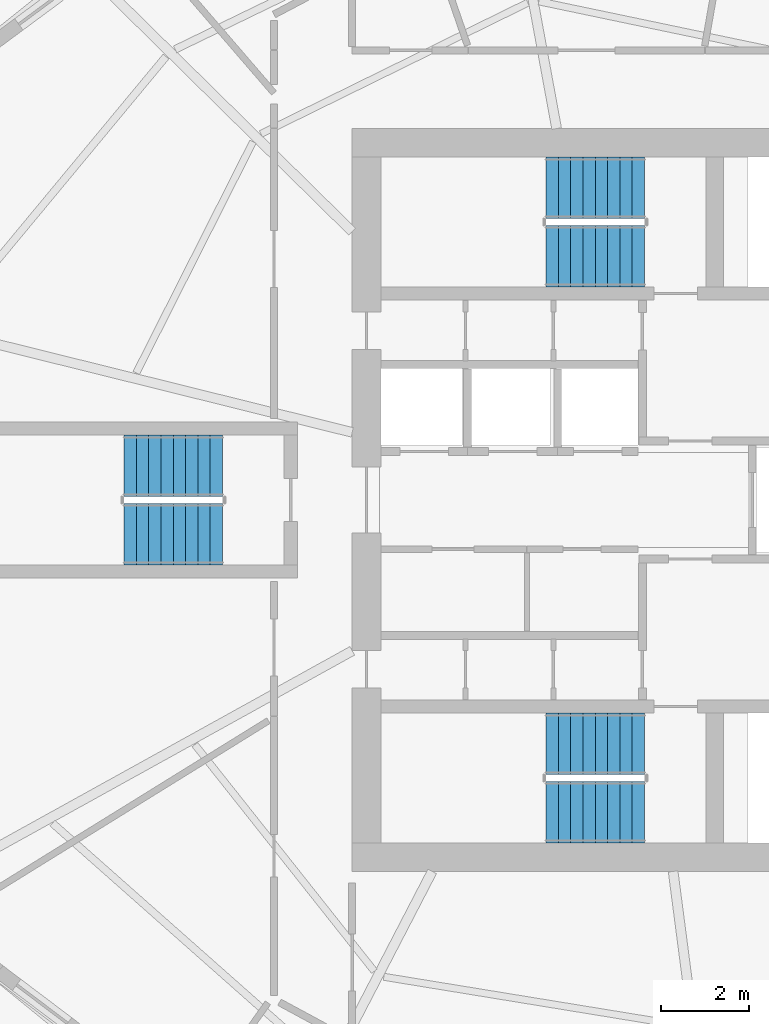
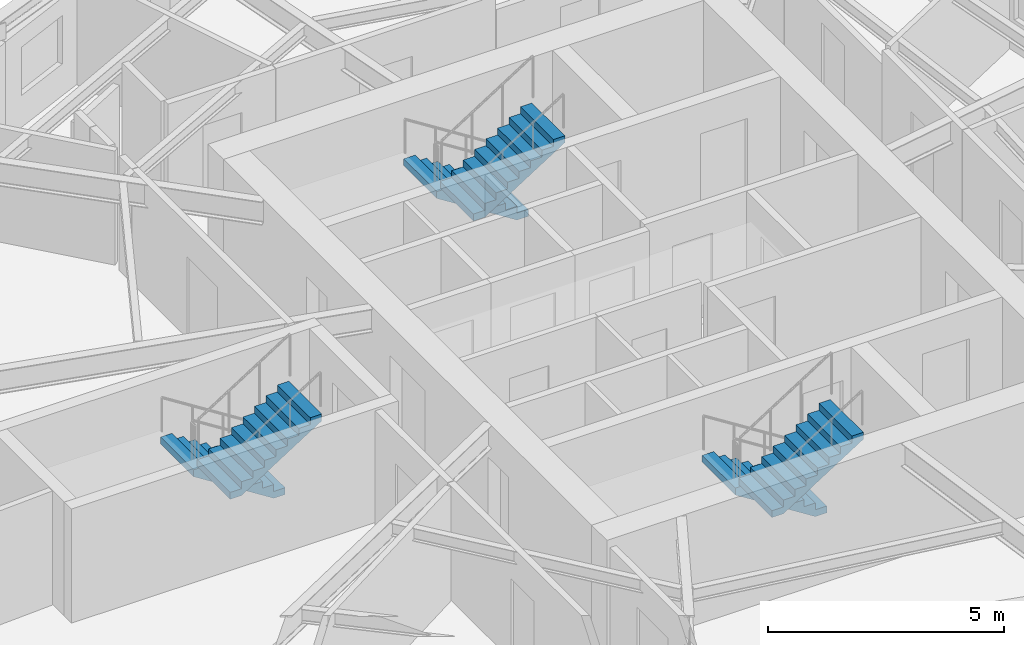
# One storey, part 8 of 12: 6 stair flights, 3 elements without a shape of their own.
"""IFC4 building model written with IfcOpenShell, lengths in metres."""

from ifc_helpers import new_model, si_unit, direction, frame, origin, place, context, subcontext, project, spatial, polyline, outline, extrude, source, transform, mapped, material, type_object, element, aggregate, save


model = new_model("IFC4")

# Units and contexts
model_context = context("Model", 3, precision=1e-05, world=origin(), true_north=direction((0.0, 1.0)))
body_context = subcontext(model_context, "Body", "Model", "MODEL_VIEW")
ifc_project = project(units=[si_unit("LENGTHUNIT", "METRE"), si_unit("AREAUNIT", "SQUARE_METRE"), si_unit("VOLUMEUNIT", "CUBIC_METRE"), si_unit("PLANEANGLEUNIT", "RADIAN"), si_unit("MASSUNIT", "GRAM", prefix="KILO")], contexts=[model_context])

# Site, building, storey
site_placement = place(None, origin())
site = spatial("IfcSite", under=ifc_project, at=site_placement, CompositionType="ELEMENT")
building_placement = place(site_placement, origin())
building = spatial("IfcBuilding", under=site, at=building_placement, Name="Qafzar Sky-Pleat Residences", CompositionType="ELEMENT")
storey_placement = place(building_placement, frame((0.0, 0.0, 184.199951171875)))
storey = spatial("IfcBuildingStorey", under=building, at=storey_placement, Name="L55", CompositionType="ELEMENT", Elevation=184.199951171875)

# Stair, stair flights
ifc_material = material(Name="Concrete C40/50", Category="concrete")
stair_type = type_object("IfcStairType", Name="STAIR-H320", PredefinedType="HALF_TURN_STAIR", material=ifc_material)
stair_1_placement = place(storey_placement, origin())
stair_1 = element("IfcStair", 1, at=stair_1_placement, inside=storey, type_object=stair_type, Name="L55 Protected Exit Stair ST1", PredefinedType="HALF_TURN_STAIR")
stair_flight_type = type_object("IfcStairFlightType", Name="FLIGHT-H320", PredefinedType="STRAIGHT", material=ifc_material)
shared_shape = source(origin(), body_context, "Body", "SweptSolid", [
    extrude(outline(polyline([(0.0, 0.0), (0.0, 0.177734375), (0.280029296875, 0.177734375), (0.280029296875, 0.35546875), (0.56005859375, 0.35546875), (0.56005859375, 0.533447265625), (0.840087890625, 0.533447265625), (0.840087890625, 0.711181640625), (1.1201171875, 0.711181640625), (1.1201171875, 0.888916015625), (1.39990234375, 0.888916015625), (1.39990234375, 1.066650390625), (1.679931640625, 1.066650390625), (1.679931640625, 1.244384765625), (1.9599609375, 1.244384765625), (1.9599609375, 1.422119140625), (2.239990234375, 1.422119140625), (2.239990234375, 1.60009765625), (2.239990234375, 1.24462890625), (0.27978515625, 0.0), (0.0, 0.0)])), frame((0.0, 0.699951171875, 0.0), z_axis=(0.0, -1.0, 0.0), x_axis=(1.0, 0.0, 0.0)), (0.0, 0.0, 1.0), 1.39990234375),
])
stair_flight_1_placement = place(storey_placement, frame((30.800048828125, 20.449951171875, 0.0), z_axis=(0.0, 0.0, 1.0), x_axis=(-1.0, 0.0, 0.0)))
stair_flight_1 = element("IfcStairFlight", 2, at=stair_flight_1_placement, type_object=stair_flight_type, Name="ST1 flight 1", NumberOfRisers=9, NumberOfTreads=8, PredefinedType="STRAIGHT", RiserHeight=0.177777778, TreadLength=0.28, context=body_context, shape_type="MappedRepresentation", body=[
    mapped(shared_shape, transform((0.0, 0.0, 0.0), x_axis=(1.0, 0.0, 0.0), y_axis=(0.0, 1.0, 0.0), z_axis=(0.0, 0.0, 1.0), scale=1.0)),
])
stair_flight_2_placement = place(storey_placement, frame((28.56005859375, 18.89990234375, 1.60009765625), z_axis=(0.0, 0.0, 1.0), x_axis=(1.0, 0.0, 0.0)))
stair_flight_2 = element("IfcStairFlight", 3, at=stair_flight_2_placement, type_object=stair_flight_type, Name="ST1 flight 2", NumberOfRisers=9, NumberOfTreads=8, PredefinedType="STRAIGHT", RiserHeight=0.177777778, TreadLength=0.28, context=body_context, shape_type="MappedRepresentation", body=[
    mapped(shared_shape, transform((0.0, 0.0, 0.0), x_axis=(1.0, 0.0, 0.0), y_axis=(0.0, 1.0, 0.0), z_axis=(0.0, 0.0, 1.0), scale=1.0)),
])
aggregate(stair_1, [stair_flight_1, stair_flight_2])

stair_2_placement = place(storey_placement, origin())
stair_2 = element("IfcStair", 4, at=stair_2_placement, inside=storey, type_object=stair_type, Name="L55 Protected Exit Stair ST2", PredefinedType="HALF_TURN_STAIR")
stair_flight_3_placement = place(storey_placement, frame((30.800048828125, 33.10009765625, 0.0), z_axis=(0.0, 0.0, 1.0), x_axis=(-1.0, 0.0, 0.0)))
stair_flight_3 = element("IfcStairFlight", 5, at=stair_flight_3_placement, type_object=stair_flight_type, Name="ST2 flight 1", NumberOfRisers=9, NumberOfTreads=8, PredefinedType="STRAIGHT", RiserHeight=0.177777778, TreadLength=0.28, context=body_context, shape_type="MappedRepresentation", body=[
    mapped(shared_shape, transform((0.0, 0.0, 0.0), x_axis=(1.0, 0.0, 0.0), y_axis=(0.0, 1.0, 0.0), z_axis=(0.0, 0.0, 1.0), scale=1.0)),
])
stair_flight_4_placement = place(storey_placement, frame((28.56005859375, 31.550048828125, 1.60009765625), z_axis=(0.0, 0.0, 1.0), x_axis=(1.0, 0.0, 0.0)))
stair_flight_4 = element("IfcStairFlight", 6, at=stair_flight_4_placement, type_object=stair_flight_type, Name="ST2 flight 2", NumberOfRisers=9, NumberOfTreads=8, PredefinedType="STRAIGHT", RiserHeight=0.177777778, TreadLength=0.28, context=body_context, shape_type="MappedRepresentation", body=[
    mapped(shared_shape, transform((0.0, 0.0, 0.0), x_axis=(1.0, 0.0, 0.0), y_axis=(0.0, 1.0, 0.0), z_axis=(0.0, 0.0, 1.0), scale=1.0)),
])
aggregate(stair_2, [stair_flight_3, stair_flight_4])

stair_3_placement = place(storey_placement, origin())
stair_3 = element("IfcStair", 7, at=stair_3_placement, inside=storey, type_object=stair_type, Name="L55 Protected Exit Stair ST3", PredefinedType="HALF_TURN_STAIR")
stair_flight_5_placement = place(storey_placement, frame((21.199951171875, 26.77490234375, 0.0), z_axis=(0.0, 0.0, 1.0), x_axis=(-1.0, 0.0, 0.0)))
stair_flight_5 = element("IfcStairFlight", 8, at=stair_flight_5_placement, type_object=stair_flight_type, Name="ST3 flight 1", NumberOfRisers=9, NumberOfTreads=8, PredefinedType="STRAIGHT", RiserHeight=0.177777778, TreadLength=0.28, context=body_context, shape_type="MappedRepresentation", body=[
    mapped(shared_shape, transform((0.0, 0.0, 0.0), x_axis=(1.0, 0.0, 0.0), y_axis=(0.0, 1.0, 0.0), z_axis=(0.0, 0.0, 1.0), scale=1.0)),
])
stair_flight_6_placement = place(storey_placement, frame((18.9599609375, 25.22509765625, 1.60009765625), z_axis=(0.0, 0.0, 1.0), x_axis=(1.0, 0.0, 0.0)))
stair_flight_6 = element("IfcStairFlight", 9, at=stair_flight_6_placement, type_object=stair_flight_type, Name="ST3 flight 2", NumberOfRisers=9, NumberOfTreads=8, PredefinedType="STRAIGHT", RiserHeight=0.177777778, TreadLength=0.28, context=body_context, shape_type="MappedRepresentation", body=[
    mapped(shared_shape, transform((0.0, 0.0, 0.0), x_axis=(1.0, 0.0, 0.0), y_axis=(0.0, 1.0, 0.0), z_axis=(0.0, 0.0, 1.0), scale=1.0)),
])
aggregate(stair_3, [stair_flight_5, stair_flight_6])

save(model, "model.ifc")
